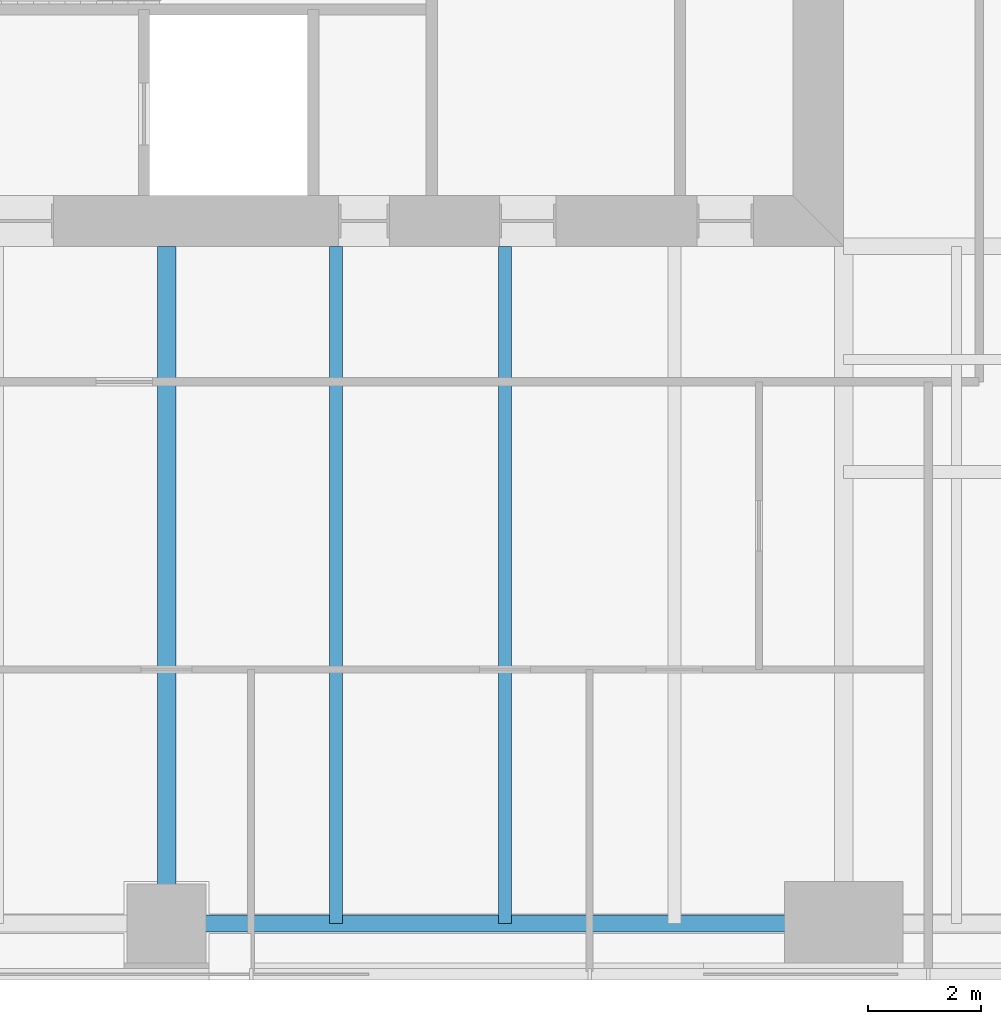
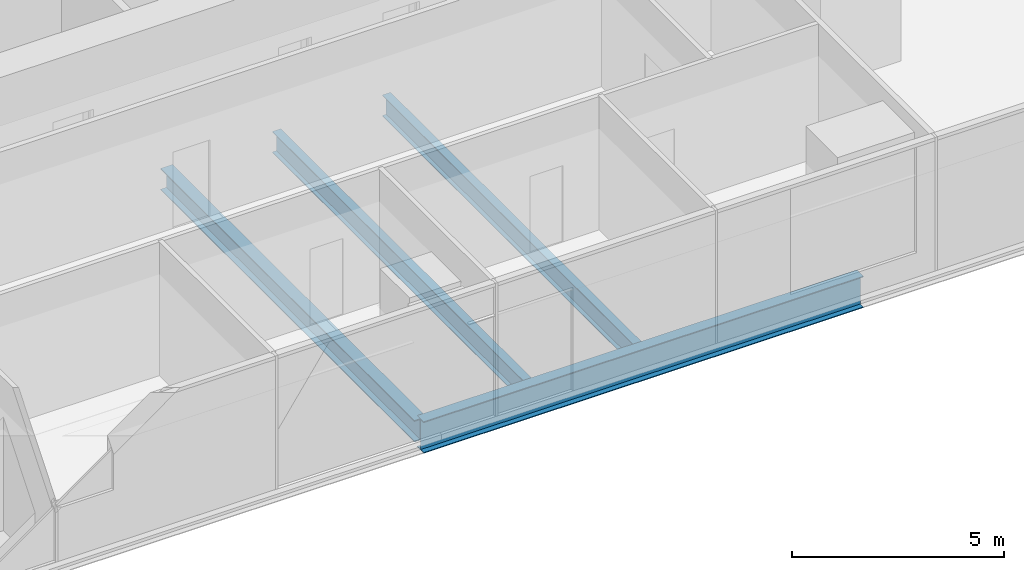
# One storey, part 3 of 13: 4 beams.
"""IFC4 building model written with IfcOpenShell, lengths in metres."""

from ifc_helpers import new_model, si_unit, direction, frame, origin, origin_2d, place, context, subcontext, project, spatial, i_section, extrude, material, material_profile, profile_set, type_object, element, save


model = new_model("IFC4")

# Units and contexts
model_context = context("Model", 3, precision=1e-05, world=origin(), true_north=direction((0.0, 1.0)))
body_context = subcontext(model_context, "Body", "Model", "MODEL_VIEW")
ifc_project = project(units=[si_unit("LENGTHUNIT", "METRE"), si_unit("AREAUNIT", "SQUARE_METRE"), si_unit("VOLUMEUNIT", "CUBIC_METRE"), si_unit("PLANEANGLEUNIT", "RADIAN"), si_unit("MASSUNIT", "GRAM", prefix="KILO")], contexts=[model_context])

# Site, building, storey
site_placement = place(None, origin())
site = spatial("IfcSite", under=ifc_project, at=site_placement, CompositionType="ELEMENT")
building_placement = place(site_placement, origin())
building = spatial("IfcBuilding", under=site, at=building_placement, Name="Fenwick Lantern Interchange", CompositionType="ELEMENT")
storey_placement = place(building_placement, frame((0.0, 0.0, 102.39990234375)))
storey = spatial("IfcBuildingStorey", under=building, at=storey_placement, Name="L23", CompositionType="ELEMENT", Elevation=102.39990234375)

# Beams
ifc_material = material(Name="Steel ASTM A992 Grade 50", Category="steel")
ifc_material_profile_1 = material_profile(ifc_material, i_section(OverallWidth=0.3046875, OverallDepth=0.911865234375, WebThickness=0.015869140625, FlangeThickness=0.02392578125, at=origin_2d()), Name="W36X150")
ifc_profile_set_1 = profile_set([ifc_material_profile_1], Name="Steel ASTM A992 Grade 50")
beam_type_1 = type_object("IfcBeamType", Name="EDGE BEAM W36X150", PredefinedType="SPANDREL", material=ifc_profile_set_1)
beam_1_placement = place(storey_placement, frame((25.0, 1.0, -0.605712890625), z_axis=(1.0, 0.0, 0.0), x_axis=(0.0, 1.0, 0.0)))
element("IfcBeam", 1, at=beam_1_placement, inside=storey, type_object=beam_type_1, Name="L23/FR/S/EB3", PredefinedType="SPANDREL", context=body_context, shape_type="SweptSolid", body=[
    extrude(i_section(OverallWidth=0.3046875, OverallDepth=0.911865234375, WebThickness=0.015869140625, FlangeThickness=0.02392578125, at=origin_2d()), origin(), (0.0, 0.0, 1.0), 12.0),
])
ifc_material_profile_2 = material_profile(ifc_material, i_section(OverallWidth=0.22900390625, OverallDepth=0.612060546875, WebThickness=0.011962890625, FlangeThickness=0.01953125, at=origin_2d()), Name="W24X84")
ifc_profile_set_2 = profile_set([ifc_material_profile_2], Name="Steel ASTM A992 Grade 50")
beam_type_2 = type_object("IfcBeamType", Name="FLOOR BEAM W24X84", PredefinedType="BEAM", material=ifc_profile_set_2)
for number, where, z_axis, x_axis, name in (
    (2, (28.0, 1.0, -0.4560546875), (0.0, 1.0, 0.0), (-1.0, 0.0, 0.0), "L23/FR/S/R06"),
    (3, (31.0, 1.0, -0.4560546875), (0.0, 1.0, 0.0), (-1.0, 0.0, 0.0), "L23/FR/S/R07"),
):
    element("IfcBeam", number, at=place(storey_placement, frame(where, z_axis=z_axis, x_axis=x_axis)), inside=storey, type_object=beam_type_2, Name=name, PredefinedType="BEAM", context=body_context, shape_type="SweptSolid", body=[
        extrude(i_section(OverallWidth=0.22900390625, OverallDepth=0.612060546875, WebThickness=0.011962890625, FlangeThickness=0.01953125, at=origin_2d()), origin(), (0.0, 0.0, 1.0), 12.0),
    ])
ifc_material_profile_3 = material_profile(ifc_material, i_section(OverallWidth=0.32763671875, OverallDepth=0.622314453125, WebThickness=0.015380859375, FlangeThickness=0.0244140625, at=origin_2d()), Name="W24X131")
ifc_profile_set_3 = profile_set([ifc_material_profile_3], Name="Steel ASTM A992 Grade 50")
beam_type_3 = type_object("IfcBeamType", Name="MOMENT-CONNECTED GIRDER W24X131", PredefinedType="BEAM", material=ifc_profile_set_3)
beam_2_placement = place(storey_placement, frame((25.0, 1.0, -0.4609375), z_axis=(0.0, 1.0, 0.0), x_axis=(-1.0, 0.0, 0.0)))
element("IfcBeam", 4, at=beam_2_placement, inside=storey, type_object=beam_type_3, Name="L23/FR/S/R05", PredefinedType="BEAM", context=body_context, shape_type="SweptSolid", body=[
    extrude(i_section(OverallWidth=0.32763671875, OverallDepth=0.622314453125, WebThickness=0.015380859375, FlangeThickness=0.0244140625, at=origin_2d()), origin(), (0.0, 0.0, 1.0), 12.0),
])

save(model, "model.ifc")
